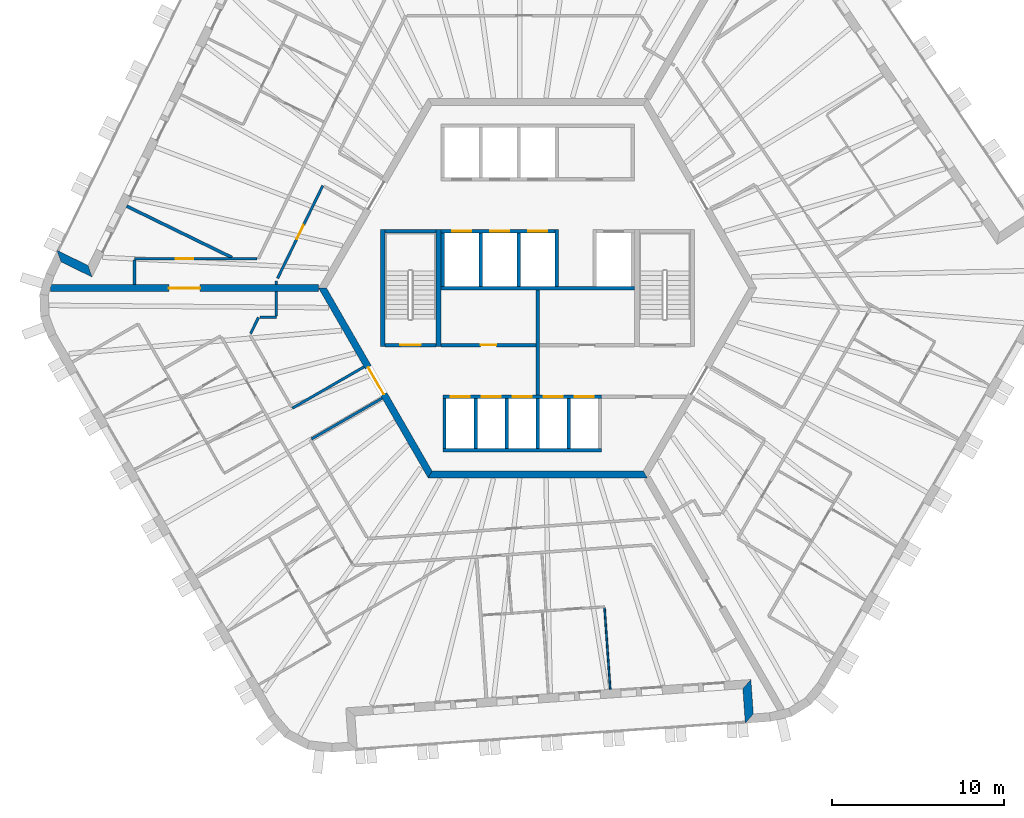
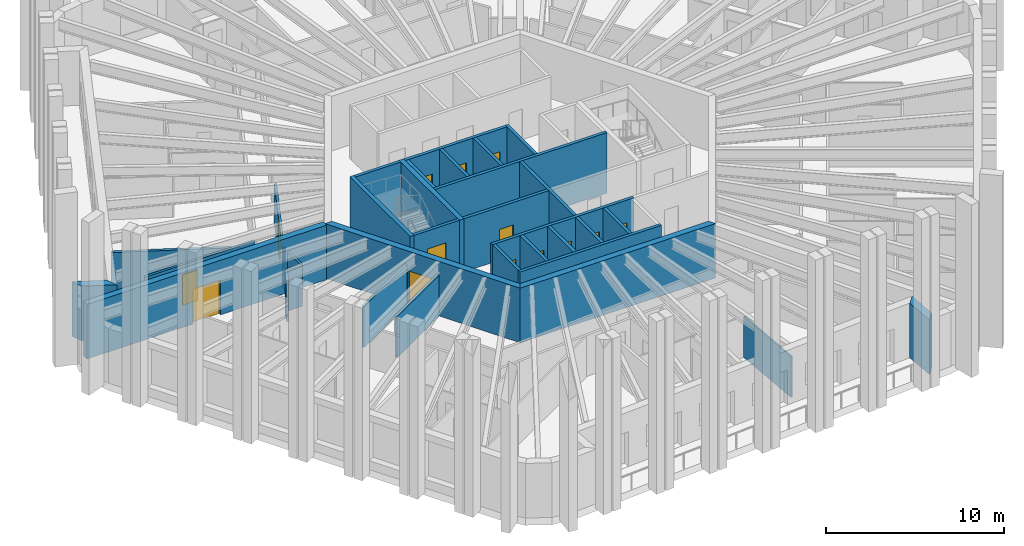
# One storey, part 5 of 13: 35 walls, 14 doors, 14 openings.
"""IFC4 building model written with IfcOpenShell, lengths in metres."""

from ifc_helpers import new_model, si_unit, direction, frame, frame_2d, origin, place, context, subcontext, project, spatial, polyline, rectangle, outline, extrude, material, layer, layer_set, type_object, element, fill, save


model = new_model("IFC4")

# Units and contexts
model_context = context("Model", 3, precision=1e-05, world=origin(), true_north=direction((0.0, 1.0)))
body_context = subcontext(model_context, "Body", "Model", "MODEL_VIEW")
ifc_project = project(units=[si_unit("LENGTHUNIT", "METRE"), si_unit("AREAUNIT", "SQUARE_METRE"), si_unit("VOLUMEUNIT", "CUBIC_METRE"), si_unit("PLANEANGLEUNIT", "RADIAN"), si_unit("MASSUNIT", "GRAM", prefix="KILO")], contexts=[model_context])

# Site, building, storey
site_placement = place(None, origin())
site = spatial("IfcSite", under=ifc_project, at=site_placement, CompositionType="ELEMENT")
building_placement = place(site_placement, origin())
building = spatial("IfcBuilding", under=site, at=building_placement, Name="Tarnside Tower", CompositionType="ELEMENT")
storey_placement = place(building_placement, frame((0.0, 0.0, 256.199951171875)))
storey = spatial("IfcBuildingStorey", under=building, at=storey_placement, Name="L61", CompositionType="ELEMENT", Elevation=256.199951171875)

# Wall, opening, door
ifc_material_1 = material(Name="Concrete C40/50", Category="concrete")
ifc_layer_1 = layer(ifc_material_1, 0.199951171875)
ifc_layer_set_1 = layer_set([ifc_layer_1], Name="Core room partition 200 C40/50")
wall_type_1 = type_object("IfcWallType", Name="Core room partition 200 C40/50", PredefinedType="PARTITIONING", material=ifc_layer_set_1)
wall_1_placement = place(storey_placement, frame((-5.60009765625, -3.300048828125, 0.0), z_axis=(0.0, 0.0, 1.0), x_axis=(1.0, 0.0, 0.0)))
wall_1 = element("IfcWall", 1, at=wall_1_placement, inside=storey, type_object=wall_type_1, Name="L61 core partition W3", PredefinedType="PARTITIONING", context=body_context, shape_type="SweptSolid", body=[
    extrude(rectangle(XDim=5.5, YDim=0.199951171875, at=frame_2d((2.75, 0.0))), origin(), (0.0, 0.0, 1.0), 3.650146484375),
])
opening_1_placement = place(wall_1_placement, frame((2.300048828125, 0.0, 0.0)))
opening_1 = element("IfcOpeningElement", 2, at=opening_1_placement, cuts=wall_1, Name="Opening CD-room", PredefinedType="OPENING", context=body_context, shape_type="SweptSolid", body=[
    extrude(rectangle(XDim=0.89990234375, YDim=2.10009765625, at=frame_2d((0.449951171875, 1.050048828125))), frame((0.0, 0.10986328125, 0.0), z_axis=(0.0, -1.0, 0.0), x_axis=(1.0, 0.0, 0.0)), (0.0, 0.0, 1.0), 0.219970703125),
])
ifc_material_2 = material(Name="Steel fire door", Category="steel")
door_type_1 = type_object("IfcDoorType", Name="Room door FD60 900x2100", OperationType="NOTDEFINED", PredefinedType="DOOR", material=ifc_material_2)
door_1_placement = place(opening_1_placement, origin())
door_1 = element("IfcDoor", 3, at=door_1_placement, inside=storey, type_object=door_type_1, Name="L61 core room door W3D", OperationType="SINGLE_SWING_LEFT", OverallHeight=2.10009765625, OverallWidth=0.89990234375, PredefinedType="DOOR", context=body_context, shape_type="SweptSolid", body=[
    extrude(rectangle(XDim=0.89990234375, YDim=2.10009765625, at=frame_2d((0.449951171875, 1.050048828125))), frame((0.0, 0.02490234375, 0.0), z_axis=(0.0, -1.0, 0.0), x_axis=(1.0, 0.0, 0.0)), (0.0, 0.0, 1.0), 0.050048828125),
])
fill(opening_1, door_1)

# Wall
wall_2_placement = place(storey_placement, frame((0.0, -6.199951171875, 0.0), z_axis=(0.0, 0.0, 1.0), x_axis=(0.0, 1.0, 0.0)))
element("IfcWall", 4, at=wall_2_placement, inside=storey, type_object=wall_type_1, Name="L61 core partition X0", PredefinedType="PARTITIONING", context=body_context, shape_type="SweptSolid", body=[
    extrude(rectangle(XDim=6.099853515625, YDim=0.199951171875, at=frame_2d((3.0498046875, 0.0))), origin(), (0.0, 0.0, 1.0), 3.650146484375),
])

# Wall, opening, door
ifc_material_3 = material(Name="Concrete C60/75", Category="concrete")
ifc_layer_2 = layer(ifc_material_3, 0.39990234375)
ifc_layer_set_2 = layer_set([ifc_layer_2], Name="Core wall Z3 400 C60/75")
wall_type_2 = type_object("IfcWallType", Name="Core wall Z3 400 C60/75", PredefinedType="SHEAR", material=ifc_layer_set_2)
wall_3_placement = place(storey_placement, frame((-12.470703125, 0.0, 0.0), z_axis=(0.0, 0.0, 1.0), x_axis=(0.499996419489, -0.866027470984, 0.0)))
wall_3 = element("IfcWall", 5, at=wall_3_placement, inside=storey, type_object=wall_type_2, Name="L61 core wall face 3", PredefinedType="SHEAR", context=body_context, shape_type="SweptSolid", body=[
    extrude(outline(polyline([(-0.115478515625, -0.199951171875), (12.586181640625, -0.199951171875), (12.355224609375, 0.199951171875), (0.115478515625, 0.199951171875), (-0.115478515625, -0.199951171875)])), origin(), (0.0, 0.0, 1.0), 3.75),
])
opening_2_placement = place(wall_3_placement, frame((5.306396484375, 0.0, 0.0)))
opening_2 = element("IfcOpeningElement", 6, at=opening_2_placement, cuts=wall_3, Name="Opening CD-FFL", PredefinedType="OPENING", context=body_context, shape_type="SweptSolid", body=[
    extrude(rectangle(XDim=1.800048828125, YDim=2.39990234375, at=frame_2d((0.89990234375, 1.199951171875))), frame((0.0, 0.2099609375, 0.0), z_axis=(0.0, -1.0, 0.0), x_axis=(1.0, 0.0, 0.0)), (0.0, 0.0, 1.0), 0.419921875),
])
door_type_2 = type_object("IfcDoorType", Name="Firefighting lobby double door FD60S 1800x2400", OperationType="NOTDEFINED", PredefinedType="DOOR", material=ifc_material_2)
door_2_placement = place(opening_2_placement, origin())
door_2 = element("IfcDoor", 7, at=door_2_placement, inside=storey, type_object=door_type_2, Name="L61 core door P3", OperationType="DOUBLE_DOOR_SINGLE_SWING", OverallHeight=2.39990234375, OverallWidth=1.800048828125, PredefinedType="DOOR", context=body_context, shape_type="SweptSolid", body=[
    extrude(rectangle(XDim=1.800048828125, YDim=2.39990234375, at=frame_2d((0.89990234375, 1.199951171875))), frame((0.0, 0.02490234375, 0.0), z_axis=(0.0, -1.0, 0.0), x_axis=(1.0, 0.0, 0.0)), (0.0, 0.0, 1.0), 0.050048828125),
])
fill(opening_2, door_2)

# Wall
wall_4_placement = place(storey_placement, frame((-6.2353515625, -10.800048828125, 0.0), z_axis=(0.0, 0.0, 1.0), x_axis=(1.0, 0.0, 0.0)))
element("IfcWall", 8, at=wall_4_placement, inside=storey, type_object=wall_type_2, Name="L61 core wall face 4", PredefinedType="SHEAR", context=body_context, shape_type="SweptSolid", body=[
    extrude(outline(polyline([(-0.115478515625, -0.199951171875), (12.586181640625, -0.199951171875), (12.355224609375, 0.199951171875), (0.115478515625, 0.199951171875), (-0.115478515625, -0.199951171875)])), origin(), (0.0, 0.0, 1.0), 3.75),
])

# Wall, opening, door
wall_5_placement = place(storey_placement, frame((-12.70166015625, 0.0, 0.0), z_axis=(0.0, 0.0, 1.0), x_axis=(-1.0, 0.0, 0.0)))
wall_5 = element("IfcWall", 9, at=wall_5_placement, inside=storey, type_object=wall_type_2, Name="L61 spine wall 2", PredefinedType="SHEAR", context=body_context, shape_type="SweptSolid", body=[
    extrude(rectangle(XDim=15.54443359375, YDim=0.39990234375, at=frame_2d((7.772216796875, 0.0))), origin(), (0.0, 0.0, 1.0), 3.75),
])
opening_3_placement = place(wall_5_placement, frame((6.872314453125, 0.0, 0.0)))
opening_3 = element("IfcOpeningElement", 10, at=opening_3_placement, cuts=wall_5, Name="Opening CD-SPN", PredefinedType="OPENING", context=body_context, shape_type="SweptSolid", body=[
    extrude(rectangle(XDim=1.800048828125, YDim=2.39990234375, at=frame_2d((0.89990234375, 1.199951171875))), frame((0.0, 0.2099609375, 0.0), z_axis=(0.0, -1.0, 0.0), x_axis=(1.0, 0.0, 0.0)), (0.0, 0.0, 1.0), 0.419921875),
])
door_type_3 = type_object("IfcDoorType", Name="Spine passage double door FD60 1800x2400", OperationType="NOTDEFINED", PredefinedType="DOOR", material=ifc_material_2)
door_3_placement = place(opening_3_placement, origin())
door_3 = element("IfcDoor", 11, at=door_3_placement, inside=storey, type_object=door_type_3, Name="L61 spine passage door 2", OperationType="DOUBLE_DOOR_SINGLE_SWING", OverallHeight=2.39990234375, OverallWidth=1.800048828125, PredefinedType="DOOR", context=body_context, shape_type="SweptSolid", body=[
    extrude(rectangle(XDim=1.800048828125, YDim=2.39990234375, at=frame_2d((0.89990234375, 1.199951171875))), frame((0.0, 0.02490234375, 0.0), z_axis=(0.0, -1.0, 0.0), x_axis=(1.0, 0.0, 0.0)), (0.0, 0.0, 1.0), 0.050048828125),
])
fill(opening_3, door_3)

ifc_material_4 = material(Name="Gypsum board partition on steel studs", Category="steel")
ifc_layer_3 = layer(ifc_material_4, 0.14990234375)
ifc_layer_set_3 = layer_set([ifc_layer_3], Name="Corridor wall 150 EI 60")
wall_type_3 = type_object("IfcWallType", Name="Corridor wall 150 EI 60", PredefinedType="PARTITIONING", material=ifc_layer_set_3)
wall_6_placement = place(storey_placement, frame((-16.277099609375, 1.699951171875, 0.0), z_axis=(0.0, 0.0, 1.0), x_axis=(-1.0, 0.0, 0.0)))
wall_6 = element("IfcWall", 12, at=wall_6_placement, inside=storey, type_object=wall_type_3, Name="Corridor wall 20012", PredefinedType="PARTITIONING", context=body_context, shape_type="SweptSolid", body=[
    extrude(rectangle(XDim=7.096923828125, YDim=0.14990234375, at=frame_2d((3.54833984375, 0.0))), origin(), (0.0, 0.0, 1.0), 2.823486328125),
])
opening_4_placement = place(wall_6_placement, frame((3.696044921875, 0.0, 0.0)))
opening_4 = element("IfcOpeningElement", 13, at=opening_4_placement, cuts=wall_6, Name="Opening D-E1", PredefinedType="OPENING", context=body_context, shape_type="SweptSolid", body=[
    extrude(rectangle(XDim=1.0, YDim=2.10009765625, at=frame_2d((0.5, 1.050048828125))), frame((0.0, 0.0849609375, 0.0), z_axis=(0.0, -1.0, 0.0), x_axis=(1.0, 0.0, 0.0)), (0.0, 0.0, 1.0), 0.169921875),
])
ifc_material_5 = material(Name="Timber door leaf", Category="wood")
door_type_4 = type_object("IfcDoorType", Name="Unit entrance door 1000 FD30S", OperationType="NOTDEFINED", PredefinedType="DOOR", material=ifc_material_5)
door_4_placement = place(opening_4_placement, origin())
door_4 = element("IfcDoor", 14, at=door_4_placement, inside=storey, type_object=door_type_4, Name="Unit door 20020", OperationType="SINGLE_SWING_LEFT", OverallHeight=2.10009765625, OverallWidth=1.0, PredefinedType="DOOR", context=body_context, shape_type="SweptSolid", body=[
    extrude(rectangle(XDim=1.0, YDim=2.10009765625, at=frame_2d((0.5, 1.050048828125))), frame((0.0, 0.02490234375, 0.0), z_axis=(0.0, -1.0, 0.0), x_axis=(1.0, 0.0, 0.0)), (0.0, 0.0, 1.0), 0.050048828125),
])
fill(opening_4, door_4)

# Walls
wall_7_placement = place(storey_placement, frame((-23.3740234375, 1.625, 0.0), z_axis=(0.0, 0.0, 1.0), x_axis=(0.0, -1.0, 0.0)))
element("IfcWall", 15, at=wall_7_placement, inside=storey, type_object=wall_type_3, Name="Corridor wall 20016", PredefinedType="PARTITIONING", context=body_context, shape_type="SweptSolid", body=[
    extrude(rectangle(XDim=1.425048828125, YDim=0.14990234375, at=frame_2d((0.71240234375, 0.0))), origin(), (0.0, 0.0, 1.0), 2.823486328125),
])
wall_8_placement = place(storey_placement, frame((-15.15380859375, 0.199951171875, 0.0), z_axis=(0.0, 0.0, 1.0), x_axis=(0.0, 1.0, 0.0)))
element("IfcWall", 16, at=wall_8_placement, inside=storey, type_object=wall_type_3, Name="Corridor wall 20023", PredefinedType="PARTITIONING", context=body_context, shape_type="SweptSolid", body=[
    extrude(rectangle(XDim=0.210205078125, YDim=0.14990234375, at=frame_2d((0.10498046875, 0.0))), origin(), (0.0, 0.0, 1.0), 2.823486328125),
])

# Wall, opening, door
wall_9_placement = place(storey_placement, frame((-15.078857421875, 0.563720703125, 0.0), z_axis=(0.0, 0.0, 1.0), x_axis=(0.438367391904, 0.898795877669, 0.0)))
wall_9 = element("IfcWall", 17, at=wall_9_placement, inside=storey, type_object=wall_type_3, Name="Corridor wall 20024", PredefinedType="PARTITIONING", context=body_context, shape_type="SweptSolid", body=[
    extrude(rectangle(XDim=5.987060546875, YDim=0.14990234375, at=frame_2d((2.99365234375, 0.0))), origin(), (0.0, 0.0, 1.0), 2.823486328125),
])
opening_5_placement = place(wall_9_placement, frame((2.54345703125, 0.0, 0.0)))
opening_5 = element("IfcOpeningElement", 18, at=opening_5_placement, cuts=wall_9, Name="Opening D-S1", PredefinedType="OPENING", context=body_context, shape_type="SweptSolid", body=[
    extrude(rectangle(XDim=0.89990234375, YDim=2.10009765625, at=frame_2d((0.449951171875, 1.050048828125))), frame((0.0, 0.0849609375, 0.0), z_axis=(0.0, -1.0, 0.0), x_axis=(1.0, 0.0, 0.0)), (0.0, 0.0, 1.0), 0.169921875),
])
door_type_5 = type_object("IfcDoorType", Name="Service room door 900 FD30S", OperationType="NOTDEFINED", PredefinedType="DOOR", material=ifc_material_5)
door_5_placement = place(opening_5_placement, origin())
door_5 = element("IfcDoor", 19, at=door_5_placement, inside=storey, type_object=door_type_5, Name="Service door 20072", OperationType="SINGLE_SWING_LEFT", OverallHeight=2.10009765625, OverallWidth=0.89990234375, PredefinedType="DOOR", context=body_context, shape_type="SweptSolid", body=[
    extrude(rectangle(XDim=0.89990234375, YDim=2.10009765625, at=frame_2d((0.449951171875, 1.050048828125))), frame((0.0, 0.02490234375, 0.0), z_axis=(0.0, -1.0, 0.0), x_axis=(1.0, 0.0, 0.0)), (0.0, 0.0, 1.0), 0.050048828125),
])
fill(opening_5, door_5)

# Walls
wall_10_placement = place(storey_placement, frame((-10.065673828125, -4.565673828125, 0.0), z_axis=(0.0, 0.0, 1.0), x_axis=(-0.866037363387, -0.499979284789, 0.0)))
element("IfcWall", 20, at=wall_10_placement, inside=storey, type_object=wall_type_3, Name="Corridor wall 20043", PredefinedType="PARTITIONING", context=body_context, shape_type="SweptSolid", body=[
    extrude(rectangle(XDim=4.800048828125, YDim=0.14990234375, at=frame_2d((2.39990234375, 0.0))), origin(), (0.0, 0.0, 1.0), 2.823486328125),
])
wall_11_placement = place(storey_placement, frame((-16.637939453125, -2.63232421875, 0.0), z_axis=(0.0, 0.0, 1.0), x_axis=(0.438437541994, 0.898761660158, 0.0)))
element("IfcWall", 21, at=wall_11_placement, inside=storey, type_object=wall_type_3, Name="Corridor wall 20045", PredefinedType="PARTITIONING", context=body_context, shape_type="SweptSolid", body=[
    extrude(rectangle(XDim=1.037353515625, YDim=0.14990234375, at=frame_2d((0.5185546875, 0.0))), origin(), (0.0, 0.0, 1.0), 2.823486328125),
])
wall_12_placement = place(storey_placement, frame((-16.099609375, -1.699951171875, 0.0), z_axis=(0.0, 0.0, 1.0), x_axis=(1.0, 0.0, 0.0)))
element("IfcWall", 22, at=wall_12_placement, inside=storey, type_object=wall_type_3, Name="Corridor wall 20046", PredefinedType="PARTITIONING", context=body_context, shape_type="SweptSolid", body=[
    extrude(rectangle(XDim=0.94580078125, YDim=0.14990234375, at=frame_2d((0.472900390625, 0.0))), origin(), (0.0, 0.0, 1.0), 2.823486328125),
])
wall_13_placement = place(storey_placement, frame((-15.15380859375, -1.625, 0.0), z_axis=(0.0, 0.0, 1.0), x_axis=(0.0, 1.0, 0.0)))
element("IfcWall", 23, at=wall_13_placement, inside=storey, type_object=wall_type_3, Name="Corridor wall 20047", PredefinedType="PARTITIONING", context=body_context, shape_type="SweptSolid", body=[
    extrude(rectangle(XDim=1.425048828125, YDim=0.14990234375, at=frame_2d((0.71240234375, 0.0))), origin(), (0.0, 0.0, 1.0), 2.823486328125),
])
wall_14_placement = place(storey_placement, frame((-13.107666015625, -8.746826171875, 0.0), z_axis=(0.0, 0.0, 1.0), x_axis=(0.866024684746, 0.500001245408, 0.0)))
element("IfcWall", 24, at=wall_14_placement, inside=storey, type_object=wall_type_3, Name="Corridor wall 20051", PredefinedType="PARTITIONING", context=body_context, shape_type="SweptSolid", body=[
    extrude(rectangle(XDim=4.72509765625, YDim=0.14990234375, at=frame_2d((2.362548828125, 0.0))), origin(), (0.0, 0.0, 1.0), 2.823486328125),
])
ifc_layer_4 = layer(ifc_material_4, 0.179931640625)
ifc_layer_set_4 = layer_set([ifc_layer_4], Name="Demising wall 180 EI 60")
wall_type_4 = type_object("IfcWallType", Name="Demising wall 180 EI 60", PredefinedType="PARTITIONING", material=ifc_layer_set_4)
wall_15_placement = place(storey_placement, frame((-23.82861328125, 4.75146484375, 0.0), z_axis=(0.0, 0.0, 1.0), x_axis=(0.898785032636, -0.438389627056, 0.0)))
element("IfcWall", 25, at=wall_15_placement, inside=storey, type_object=wall_type_4, Name="Demising wall 20101", PredefinedType="PARTITIONING", context=body_context, shape_type="SweptSolid", body=[
    extrude(rectangle(XDim=6.789794921875, YDim=0.179931640625, at=frame_2d((3.39501953125, 0.0))), origin(), (0.0, 0.0, 1.0), 2.823486328125),
])

# Wall, openings, doors
ifc_layer_5 = layer(ifc_material_1, 0.199951171875)
ifc_layer_set_5 = layer_set([ifc_layer_5], Name="Lift shaft wall 200 C40/50")
wall_type_5 = type_object("IfcWallType", Name="Lift shaft wall 200 C40/50", PredefinedType="SHEAR", material=ifc_layer_set_5)
wall_16_placement = place(storey_placement, frame((-5.60009765625, 3.300048828125, -0.5), z_axis=(0.0, 0.0, 1.0), x_axis=(1.0, 0.0, 0.0)))
wall_16 = element("IfcWall", 26, at=wall_16_placement, inside=storey, type_object=wall_type_5, Name="L61 lift shaft front wall R2", PredefinedType="SHEAR", context=body_context, shape_type="SweptSolid", body=[
    extrude(rectangle(XDim=6.60009765625, YDim=0.199951171875, at=frame_2d((3.300048828125, 0.0))), origin(), (0.0, 0.0, 1.0), 4.150146484375),
])
opening_6_placement = place(wall_16_placement, frame((0.64990234375, 0.0, 0.5)))
opening_6 = element("IfcOpeningElement", 27, at=opening_6_placement, cuts=wall_16, Name="Opening LD", PredefinedType="OPENING", context=body_context, shape_type="SweptSolid", body=[
    extrude(rectangle(XDim=1.10009765625, YDim=2.10009765625, at=frame_2d((0.550048828125, 1.050048828125))), frame((0.0, 0.10986328125, 0.0), z_axis=(0.0, -1.0, 0.0), x_axis=(1.0, 0.0, 0.0)), (0.0, 0.0, 1.0), 0.219970703125),
])
opening_7_placement = place(wall_16_placement, frame((2.85009765625, 0.0, 0.5)))
opening_7 = element("IfcOpeningElement", 28, at=opening_7_placement, cuts=wall_16, Name="Opening LD", PredefinedType="OPENING", context=body_context, shape_type="SweptSolid", body=[
    extrude(rectangle(XDim=1.10009765625, YDim=2.10009765625, at=frame_2d((0.550048828125, 1.050048828125))), frame((0.0, 0.10986328125, 0.0), z_axis=(0.0, -1.0, 0.0), x_axis=(1.0, 0.0, 0.0)), (0.0, 0.0, 1.0), 0.219970703125),
])
opening_8_placement = place(wall_16_placement, frame((5.050048828125, 0.0, 0.5)))
opening_8 = element("IfcOpeningElement", 29, at=opening_8_placement, cuts=wall_16, Name="Opening LD", PredefinedType="OPENING", context=body_context, shape_type="SweptSolid", body=[
    extrude(rectangle(XDim=1.10009765625, YDim=2.10009765625, at=frame_2d((0.550048828125, 1.050048828125))), frame((0.0, 0.10986328125, 0.0), z_axis=(0.0, -1.0, 0.0), x_axis=(1.0, 0.0, 0.0)), (0.0, 0.0, 1.0), 0.219970703125),
])
ifc_material_6 = material(Name="Stainless steel", Category="steel")
door_type_6 = type_object("IfcDoorType", Name="Lift landing door 1100x2100", OperationType="NOTDEFINED", PredefinedType="DOOR", material=ifc_material_6)
door_6_placement = place(opening_6_placement, origin())
door_6 = element("IfcDoor", 30, at=door_6_placement, inside=storey, type_object=door_type_6, Name="High-rise lift 4 landing door L61", OperationType="SLIDING_TO_LEFT", OverallHeight=2.10009765625, OverallWidth=1.10009765625, PredefinedType="DOOR", context=body_context, shape_type="SweptSolid", body=[
    extrude(rectangle(XDim=1.10009765625, YDim=2.10009765625, at=frame_2d((0.550048828125, 1.050048828125))), frame((0.0, 0.02490234375, 0.0), z_axis=(0.0, -1.0, 0.0), x_axis=(1.0, 0.0, 0.0)), (0.0, 0.0, 1.0), 0.050048828125),
])
fill(opening_6, door_6)
door_7_placement = place(opening_7_placement, origin())
door_7 = element("IfcDoor", 31, at=door_7_placement, inside=storey, type_object=door_type_6, Name="High-rise lift 5 landing door L61", OperationType="SLIDING_TO_LEFT", OverallHeight=2.10009765625, OverallWidth=1.10009765625, PredefinedType="DOOR", context=body_context, shape_type="SweptSolid", body=[
    extrude(rectangle(XDim=1.10009765625, YDim=2.10009765625, at=frame_2d((0.550048828125, 1.050048828125))), frame((0.0, 0.02490234375, 0.0), z_axis=(0.0, -1.0, 0.0), x_axis=(1.0, 0.0, 0.0)), (0.0, 0.0, 1.0), 0.050048828125),
])
fill(opening_7, door_7)
door_8_placement = place(opening_8_placement, origin())
door_8 = element("IfcDoor", 32, at=door_8_placement, inside=storey, type_object=door_type_6, Name="High-rise lift 6 landing door L61", OperationType="SLIDING_TO_LEFT", OverallHeight=2.10009765625, OverallWidth=1.10009765625, PredefinedType="DOOR", context=body_context, shape_type="SweptSolid", body=[
    extrude(rectangle(XDim=1.10009765625, YDim=2.10009765625, at=frame_2d((0.550048828125, 1.050048828125))), frame((0.0, 0.02490234375, 0.0), z_axis=(0.0, -1.0, 0.0), x_axis=(1.0, 0.0, 0.0)), (0.0, 0.0, 1.0), 0.050048828125),
])
fill(opening_8, door_8)

# Walls
wall_17_placement = place(storey_placement, frame((-5.60009765625, 0.0, -0.5), z_axis=(0.0, 0.0, 1.0), x_axis=(1.0, 0.0, 0.0)))
element("IfcWall", 33, at=wall_17_placement, inside=storey, type_object=wall_type_5, Name="L61 lift shaft back wall R2", PredefinedType="SHEAR", context=body_context, shape_type="SweptSolid", body=[
    extrude(rectangle(XDim=11.2001953125, YDim=0.199951171875, at=frame_2d((5.60009765625, 0.0))), origin(), (0.0, 0.0, 1.0), 4.150146484375),
])
for number, where, z_axis, x_axis, name in (
    (34, (-5.5, 0.10009765625, -0.5), (0.0, 0.0, 1.0), (0.0, 1.0, 0.0), "L61 lift shaft partition R21"),
    (35, (-3.300048828125, 0.10009765625, -0.5), (0.0, 0.0, 1.0), (0.0, 1.0, 0.0), "L61 lift shaft partition R22"),
    (36, (-1.10009765625, 0.10009765625, -0.5), (0.0, 0.0, 1.0), (0.0, 1.0, 0.0), "L61 lift shaft partition R23"),
):
    element("IfcWall", number, at=place(storey_placement, frame(where, z_axis=z_axis, x_axis=x_axis)), inside=storey, type_object=wall_type_5, Name=name, PredefinedType="SHEAR", context=body_context, shape_type="SweptSolid", body=[
        extrude(rectangle(XDim=3.099853515625, YDim=0.199951171875, at=frame_2d((1.5498046875, 0.0))), origin(), (0.0, 0.0, 1.0), 4.150146484375),
    ])
wall_18_placement = place(storey_placement, frame((1.10009765625, 0.10009765625, -0.5), z_axis=(0.0, 0.0, 1.0), x_axis=(0.0, 1.0, 0.0)))
element("IfcWall", 37, at=wall_18_placement, inside=storey, type_object=wall_type_5, Name="L61 lift shaft partition R24", PredefinedType="SHEAR", context=body_context, shape_type="SweptSolid", body=[
    extrude(rectangle(XDim=3.2998046875, YDim=0.199951171875, at=frame_2d((1.64990234375, 0.0))), origin(), (0.0, 0.0, 1.0), 4.150146484375),
])

# Wall, openings, doors
wall_19_placement = place(storey_placement, frame((-5.5, -6.300048828125, -0.5), z_axis=(0.0, 0.0, 1.0), x_axis=(1.0, 0.0, 0.0)))
wall_19 = element("IfcWall", 38, at=wall_19_placement, inside=storey, type_object=wall_type_5, Name="L61 lift shaft front wall R4", PredefinedType="SHEAR", context=body_context, shape_type="SweptSolid", body=[
    extrude(rectangle(XDim=9.199951171875, YDim=0.199951171875, at=frame_2d((4.60009765625, 0.0))), origin(), (0.0, 0.0, 1.0), 4.150146484375),
])
opening_9_placement = place(wall_19_placement, frame((0.449951171875, 0.0, 0.5)))
opening_9 = element("IfcOpeningElement", 39, at=opening_9_placement, cuts=wall_19, Name="Opening LDF", PredefinedType="OPENING", context=body_context, shape_type="SweptSolid", body=[
    extrude(rectangle(XDim=1.10009765625, YDim=2.10009765625, at=frame_2d((0.550048828125, 1.050048828125))), frame((0.0, 0.10986328125, 0.0), z_axis=(0.0, -1.0, 0.0), x_axis=(1.0, 0.0, 0.0)), (0.0, 0.0, 1.0), 0.219970703125),
])
opening_10_placement = place(wall_19_placement, frame((2.25, 0.0, 0.5)))
opening_10 = element("IfcOpeningElement", 40, at=opening_10_placement, cuts=wall_19, Name="Opening LDF", PredefinedType="OPENING", context=body_context, shape_type="SweptSolid", body=[
    extrude(rectangle(XDim=1.10009765625, YDim=2.10009765625, at=frame_2d((0.550048828125, 1.050048828125))), frame((0.0, 0.10986328125, 0.0), z_axis=(0.0, -1.0, 0.0), x_axis=(1.0, 0.0, 0.0)), (0.0, 0.0, 1.0), 0.219970703125),
])
opening_11_placement = place(wall_19_placement, frame((4.050048828125, 0.0, 0.5)))
opening_11 = element("IfcOpeningElement", 41, at=opening_11_placement, cuts=wall_19, Name="Opening LDF", PredefinedType="OPENING", context=body_context, shape_type="SweptSolid", body=[
    extrude(rectangle(XDim=1.10009765625, YDim=2.10009765625, at=frame_2d((0.550048828125, 1.050048828125))), frame((0.0, 0.10986328125, 0.0), z_axis=(0.0, -1.0, 0.0), x_axis=(1.0, 0.0, 0.0)), (0.0, 0.0, 1.0), 0.219970703125),
])
opening_12_placement = place(wall_19_placement, frame((5.85009765625, 0.0, 0.5)))
opening_12 = element("IfcOpeningElement", 42, at=opening_12_placement, cuts=wall_19, Name="Opening LDF", PredefinedType="OPENING", context=body_context, shape_type="SweptSolid", body=[
    extrude(rectangle(XDim=1.10009765625, YDim=2.10009765625, at=frame_2d((0.550048828125, 1.050048828125))), frame((0.0, 0.10986328125, 0.0), z_axis=(0.0, -1.0, 0.0), x_axis=(1.0, 0.0, 0.0)), (0.0, 0.0, 1.0), 0.219970703125),
])
opening_13_placement = place(wall_19_placement, frame((7.64990234375, 0.0, 0.5)))
opening_13 = element("IfcOpeningElement", 43, at=opening_13_placement, cuts=wall_19, Name="Opening LDF", PredefinedType="OPENING", context=body_context, shape_type="SweptSolid", body=[
    extrude(rectangle(XDim=1.10009765625, YDim=2.10009765625, at=frame_2d((0.550048828125, 1.050048828125))), frame((0.0, 0.10986328125, 0.0), z_axis=(0.0, -1.0, 0.0), x_axis=(1.0, 0.0, 0.0)), (0.0, 0.0, 1.0), 0.219970703125),
])
door_type_7 = type_object("IfcDoorType", Name="Lift landing door 1100x2100 EI 120", OperationType="NOTDEFINED", PredefinedType="DOOR", material=ifc_material_6)
door_9_placement = place(opening_9_placement, origin())
door_9 = element("IfcDoor", 44, at=door_9_placement, inside=storey, type_object=door_type_7, Name="Firefighting lift 1 landing door L61", OperationType="SLIDING_TO_LEFT", OverallHeight=2.10009765625, OverallWidth=1.10009765625, PredefinedType="DOOR", context=body_context, shape_type="SweptSolid", body=[
    extrude(rectangle(XDim=1.10009765625, YDim=2.10009765625, at=frame_2d((0.550048828125, 1.050048828125))), frame((0.0, 0.02490234375, 0.0), z_axis=(0.0, -1.0, 0.0), x_axis=(1.0, 0.0, 0.0)), (0.0, 0.0, 1.0), 0.050048828125),
])
fill(opening_9, door_9)
door_10_placement = place(opening_10_placement, origin())
door_10 = element("IfcDoor", 45, at=door_10_placement, inside=storey, type_object=door_type_7, Name="Firefighting lift 2 landing door L61", OperationType="SLIDING_TO_LEFT", OverallHeight=2.10009765625, OverallWidth=1.10009765625, PredefinedType="DOOR", context=body_context, shape_type="SweptSolid", body=[
    extrude(rectangle(XDim=1.10009765625, YDim=2.10009765625, at=frame_2d((0.550048828125, 1.050048828125))), frame((0.0, 0.02490234375, 0.0), z_axis=(0.0, -1.0, 0.0), x_axis=(1.0, 0.0, 0.0)), (0.0, 0.0, 1.0), 0.050048828125),
])
fill(opening_10, door_10)
door_11_placement = place(opening_11_placement, origin())
door_11 = element("IfcDoor", 46, at=door_11_placement, inside=storey, type_object=door_type_7, Name="Firefighting lift 3 landing door L61", OperationType="SLIDING_TO_LEFT", OverallHeight=2.10009765625, OverallWidth=1.10009765625, PredefinedType="DOOR", context=body_context, shape_type="SweptSolid", body=[
    extrude(rectangle(XDim=1.10009765625, YDim=2.10009765625, at=frame_2d((0.550048828125, 1.050048828125))), frame((0.0, 0.02490234375, 0.0), z_axis=(0.0, -1.0, 0.0), x_axis=(1.0, 0.0, 0.0)), (0.0, 0.0, 1.0), 0.050048828125),
])
fill(opening_11, door_11)
door_12_placement = place(opening_12_placement, origin())
door_12 = element("IfcDoor", 47, at=door_12_placement, inside=storey, type_object=door_type_7, Name="Firefighting lift 4 landing door L61", OperationType="SLIDING_TO_LEFT", OverallHeight=2.10009765625, OverallWidth=1.10009765625, PredefinedType="DOOR", context=body_context, shape_type="SweptSolid", body=[
    extrude(rectangle(XDim=1.10009765625, YDim=2.10009765625, at=frame_2d((0.550048828125, 1.050048828125))), frame((0.0, 0.02490234375, 0.0), z_axis=(0.0, -1.0, 0.0), x_axis=(1.0, 0.0, 0.0)), (0.0, 0.0, 1.0), 0.050048828125),
])
fill(opening_12, door_12)
door_13_placement = place(opening_13_placement, origin())
door_13 = element("IfcDoor", 48, at=door_13_placement, inside=storey, type_object=door_type_7, Name="Firefighting lift 5 landing door L61", OperationType="SLIDING_TO_LEFT", OverallHeight=2.10009765625, OverallWidth=1.10009765625, PredefinedType="DOOR", context=body_context, shape_type="SweptSolid", body=[
    extrude(rectangle(XDim=1.10009765625, YDim=2.10009765625, at=frame_2d((0.550048828125, 1.050048828125))), frame((0.0, 0.02490234375, 0.0), z_axis=(0.0, -1.0, 0.0), x_axis=(1.0, 0.0, 0.0)), (0.0, 0.0, 1.0), 0.050048828125),
])
fill(opening_13, door_13)

# Walls
wall_20_placement = place(storey_placement, frame((-5.5, -9.39990234375, -0.5), z_axis=(0.0, 0.0, 1.0), x_axis=(1.0, 0.0, 0.0)))
element("IfcWall", 49, at=wall_20_placement, inside=storey, type_object=wall_type_5, Name="L61 lift shaft back wall R4", PredefinedType="SHEAR", context=body_context, shape_type="SweptSolid", body=[
    extrude(rectangle(XDim=9.199951171875, YDim=0.199951171875, at=frame_2d((4.60009765625, 0.0))), origin(), (0.0, 0.0, 1.0), 4.150146484375),
])
for number, where, z_axis, x_axis, name in (
    (50, (-5.39990234375, -9.300048828125, -0.5), (0.0, 0.0, 1.0), (0.0, 1.0, 0.0), "L61 lift shaft partition R41"),
    (51, (-3.60009765625, -9.300048828125, -0.5), (0.0, 0.0, 1.0), (0.0, 1.0, 0.0), "L61 lift shaft partition R42"),
    (52, (-1.800048828125, -9.300048828125, -0.5), (0.0, 0.0, 1.0), (0.0, 1.0, 0.0), "L61 lift shaft partition R43"),
    (53, (0.0, -9.300048828125, -0.5), (0.0, 0.0, 1.0), (0.0, 1.0, 0.0), "L61 lift shaft partition R44"),
    (54, (1.800048828125, -9.300048828125, -0.5), (0.0, 0.0, 1.0), (0.0, 1.0, 0.0), "L61 lift shaft partition R45"),
):
    element("IfcWall", number, at=place(storey_placement, frame(where, z_axis=z_axis, x_axis=x_axis)), inside=storey, type_object=wall_type_5, Name=name, PredefinedType="SHEAR", context=body_context, shape_type="SweptSolid", body=[
        extrude(rectangle(XDim=2.900146484375, YDim=0.199951171875, at=frame_2d((1.4501953125, 0.0))), origin(), (0.0, 0.0, 1.0), 4.150146484375),
    ])
wall_21_placement = place(storey_placement, frame((-8.85009765625, 3.300048828125, -0.5), z_axis=(0.0, 0.0, 1.0), x_axis=(1.0, 0.0, 0.0)))
element("IfcWall", 55, at=wall_21_placement, inside=storey, type_object=wall_type_5, Name="L61 stair 2 enclosure cap wall n", PredefinedType="SHEAR", context=body_context, shape_type="SweptSolid", body=[
    extrude(rectangle(XDim=2.9501953125, YDim=0.199951171875, at=frame_2d((1.47509765625, 0.0))), origin(), (0.0, 0.0, 1.0), 4.150146484375),
])

# Wall, opening, door
wall_22_placement = place(storey_placement, frame((-8.85009765625, -3.300048828125, -0.5), z_axis=(0.0, 0.0, 1.0), x_axis=(1.0, 0.0, 0.0)))
wall_22 = element("IfcWall", 56, at=wall_22_placement, inside=storey, type_object=wall_type_5, Name="L61 stair 2 enclosure cap wall s", PredefinedType="SHEAR", context=body_context, shape_type="SweptSolid", body=[
    extrude(rectangle(XDim=2.9501953125, YDim=0.199951171875, at=frame_2d((1.47509765625, 0.0))), origin(), (0.0, 0.0, 1.0), 4.150146484375),
])
opening_14_placement = place(wall_22_placement, frame((0.875, 0.0, 0.5)))
opening_14 = element("IfcOpeningElement", 57, at=opening_14_placement, cuts=wall_22, Name="Opening CD-STR", PredefinedType="OPENING", context=body_context, shape_type="SweptSolid", body=[
    extrude(rectangle(XDim=1.199951171875, YDim=2.39990234375, at=frame_2d((0.60009765625, 1.199951171875))), frame((0.0, 0.10986328125, 0.0), z_axis=(0.0, -1.0, 0.0), x_axis=(1.0, 0.0, 0.0)), (0.0, 0.0, 1.0), 0.219970703125),
])
door_type_8 = type_object("IfcDoorType", Name="Stair door FD60S 1200x2400", OperationType="NOTDEFINED", PredefinedType="DOOR", material=ifc_material_2)
door_14_placement = place(opening_14_placement, origin())
door_14 = element("IfcDoor", 58, at=door_14_placement, inside=storey, type_object=door_type_8, Name="L61 stair 2 door", OperationType="SINGLE_SWING_LEFT", OverallHeight=2.39990234375, OverallWidth=1.199951171875, PredefinedType="DOOR", context=body_context, shape_type="SweptSolid", body=[
    extrude(rectangle(XDim=1.199951171875, YDim=2.39990234375, at=frame_2d((0.60009765625, 1.199951171875))), frame((0.0, 0.02490234375, 0.0), z_axis=(0.0, -1.0, 0.0), x_axis=(1.0, 0.0, 0.0)), (0.0, 0.0, 1.0), 0.050048828125),
])
fill(opening_14, door_14)

# Walls
ifc_material_7 = material(Name="Dark zinc cladding")
ifc_layer_6 = layer(ifc_material_7, 0.10205078125)
ifc_material_8 = material(Name="Concrete C60/75 precast", Category="concrete")
ifc_layer_7 = layer(ifc_material_8, 0.298095703125)
ifc_material_9 = material(Name="Mineral wool insulation")
ifc_layer_8 = layer(ifc_material_9, 0.10009765625)
ifc_layer_set_6 = layer_set([ifc_layer_6, ifc_layer_7, ifc_layer_8], Name="Loggia wall 500 zinc faced")
wall_type_6 = type_object("IfcWallType", Name="Loggia wall 500 zinc faced", PredefinedType="SOLIDWALL", material=ifc_layer_set_6)
for number, where, z_axis, x_axis, name in (
    (59, (-25.9482421875, 0.97607421875, 0.0), (0.0, 0.0, 1.0), (-0.898802465371, 0.438353884714, 0.0), "Tube wall L61 F2 return 07"),
    (60, (12.128662109375, -22.9599609375, 0.0), (0.0, 0.0, 1.0), (0.069824268692, -0.99755930726, 0.0), "Tube wall L61 F4 return 19"),
):
    element("IfcWall", number, at=place(storey_placement, frame(where, z_axis=z_axis, x_axis=x_axis)), inside=storey, type_object=wall_type_6, Name=name, PredefinedType="SOLIDWALL", context=body_context, shape_type="SweptSolid", body=[
        extrude(outline(polyline([(0.25, -0.25), (2.25, -0.25), (1.75, 0.25), (-0.25, 0.25), (0.25, -0.25)])), origin(), (0.0, 0.0, 1.0), 3.75),
    ])
ifc_layer_9 = layer(ifc_material_4, 0.10009765625)
ifc_layer_set_7 = layer_set([ifc_layer_9], Name="Partition 100")
wall_type_7 = type_object("IfcWallType", Name="Partition 100", PredefinedType="PARTITIONING", material=ifc_layer_set_7)
wall_23_placement = place(storey_placement, frame((3.876953125, -18.524658203125, 0.0), z_axis=(0.0, 0.0, 1.0), x_axis=(0.069745758817, -0.997564799463, 0.0)))
element("IfcWall", 61, at=wall_23_placement, inside=storey, type_object=wall_type_7, Name="Partition wall 20133", PredefinedType="PARTITIONING", context=body_context, shape_type="SweptSolid", body=[
    extrude(rectangle(XDim=4.75, YDim=0.10009765625, at=frame_2d((2.375, 0.0))), origin(), (0.0, 0.0, 1.0), 2.823486328125),
])
ifc_layer_10 = layer(ifc_material_1, 0.25)
ifc_layer_set_8 = layer_set([ifc_layer_10], Name="Stair enclosure wall 250 C40/50")
wall_type_8 = type_object("IfcWallType", Name="Stair enclosure wall 250 C40/50", PredefinedType="SHEAR", material=ifc_layer_set_8)
wall_24_placement = place(storey_placement, frame((-8.97509765625, -3.39990234375, -0.5), z_axis=(0.0, 0.0, 1.0), x_axis=(0.0, 1.0, 0.0)))
element("IfcWall", 62, at=wall_24_placement, inside=storey, type_object=wall_type_8, Name="L61 stair 2 enclosure wall outer", PredefinedType="SHEAR", context=body_context, shape_type="SweptSolid", body=[
    extrude(rectangle(XDim=6.7998046875, YDim=0.25, at=frame_2d((3.39990234375, 0.0))), origin(), (0.0, 0.0, 1.0), 4.150146484375),
])
ifc_layer_11 = layer(ifc_material_1, 0.300048828125)
ifc_layer_set_9 = layer_set([ifc_layer_11], Name="Stair enclosure wall 300 C40/50")
wall_type_9 = type_object("IfcWallType", Name="Stair enclosure wall 300 C40/50", PredefinedType="SHEAR", material=ifc_layer_set_9)
wall_25_placement = place(storey_placement, frame((-5.75, -3.39990234375, -0.5), z_axis=(0.0, 0.0, 1.0), x_axis=(0.0, 1.0, 0.0)))
element("IfcWall", 63, at=wall_25_placement, inside=storey, type_object=wall_type_9, Name="L61 stair 2 enclosure wall inner", PredefinedType="SHEAR", context=body_context, shape_type="SweptSolid", body=[
    extrude(rectangle(XDim=6.7998046875, YDim=0.300048828125, at=frame_2d((3.39990234375, 0.0))), origin(), (0.0, 0.0, 1.0), 4.150146484375),
])

save(model, "model.ifc")
